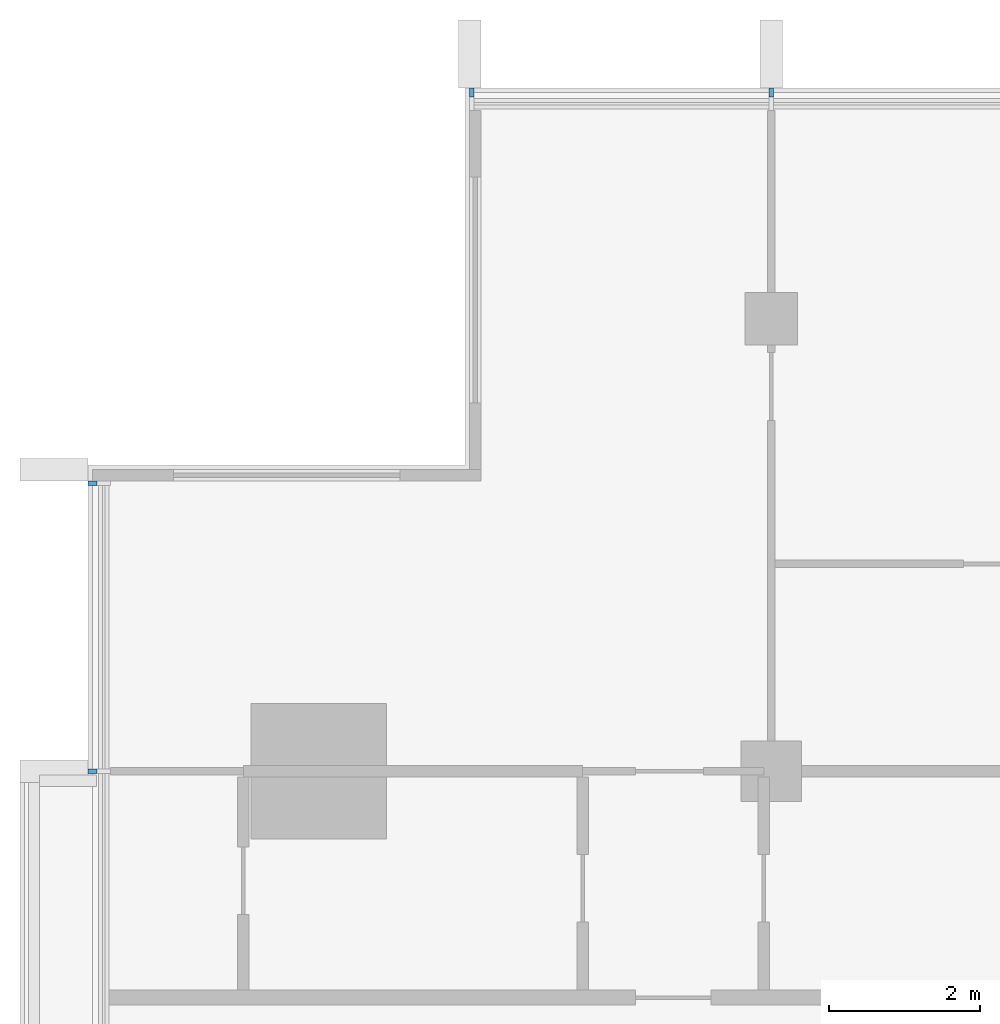
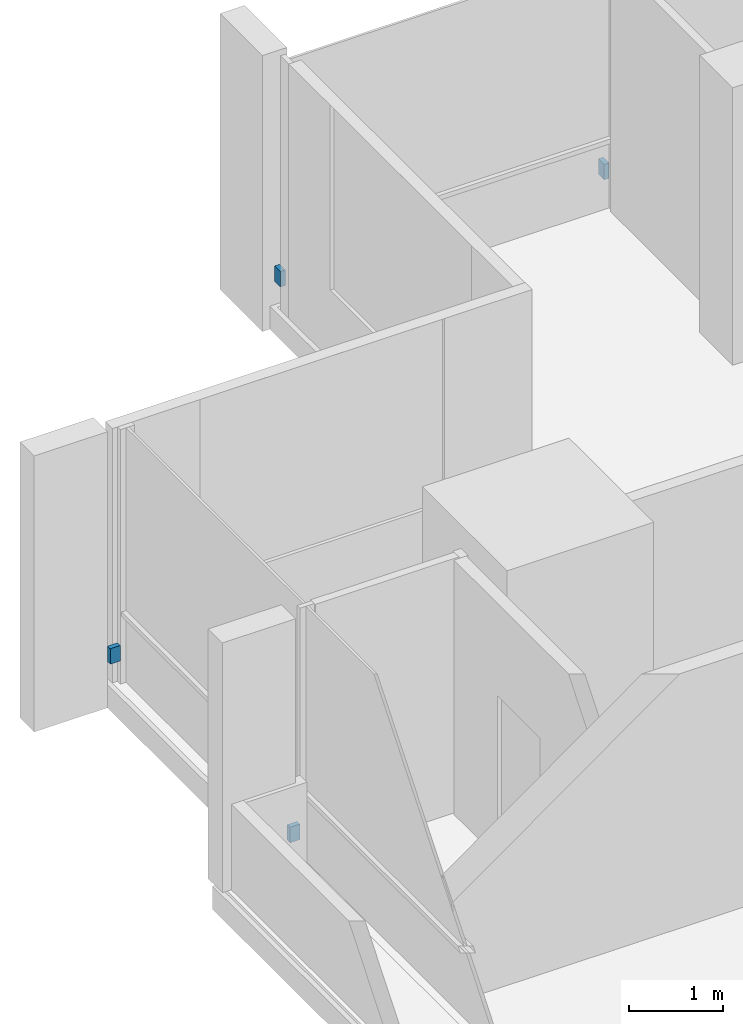
# One storey, part 14 of 16: 4 discrete accessories.
"""IFC4 building model written with IfcOpenShell, lengths in metres."""

import ifcopenshell
import ifcopenshell.guid

model = None  # the IFC model being written
_history = None  # IfcOwnerHistory: only IFC2X3 demands one
_inside = {}  # id of a spatial element -> (the spatial element, [elements in it])
_under = {}  # id of a project, library or spatial element -> (it, [spatial elements below it])
_declared = {}  # id of a project -> (the project, [libraries it declares])
_typed = {}  # id of a type object -> (the type object, [elements of that type])
_made_of = {}  # id of a material, layer set ... -> (it, [elements and type objects made of it])


def new_model(schema):
    """Start an empty IFC model of exactly this schema.

    Asked for "IFC4X3", IfcOpenShell would pick the latest addendum, in which some entities
    have other attributes; the version numbers below select the first issue.
    IFC2X3 requires an IfcOwnerHistory on every rooted entity: one is made here for all.
    """
    global model, _history
    if schema == "IFC4X3":
        model = ifcopenshell.file(schema_version=(4, 3, 0, 0))
    else:
        model = ifcopenshell.file(schema=schema)
    _inside.clear()
    _under.clear()
    _declared.clear()
    _typed.clear()
    _made_of.clear()
    _history = None
    if model.schema == "IFC2X3":
        org = make("IfcOrganization", Name="unknown")
        user = make(
            "IfcPersonAndOrganization",
            ThePerson=make("IfcPerson", FamilyName="unknown"),
            TheOrganization=org,
        )
        app = make(
            "IfcApplication",
            ApplicationDeveloper=org,
            Version="unknown",
            ApplicationFullName="unknown",
            ApplicationIdentifier="unknown",
        )
        _history = make(
            "IfcOwnerHistory",
            OwningUser=user,
            OwningApplication=app,
            ChangeAction="ADDED",
            CreationDate=0,
        )
    return model


def make(cls, **values):
    """One entity of the class cls with the attributes given. An attribute that is None is left unset."""
    return model.create_entity(
        cls, **{name: value for name, value in values.items() if value is not None}
    )


def rooted(cls, **values):
    """An entity with a GlobalId (a new one), such as an element, a storey or a relation."""
    return make(cls, GlobalId=ifcopenshell.guid.new(), OwnerHistory=_history, **values)


def si_unit(unit_type, name, prefix=None):
    """IfcSIUnit, for example si_unit("LENGTHUNIT", "METRE", prefix="MILLI")."""
    return make("IfcSIUnit", UnitType=unit_type, Prefix=prefix, Name=name)


def assignment(units):
    """IfcUnitAssignment: the units of a project."""
    return None if units is None else make("IfcUnitAssignment", Units=units)


def point(xyz):
    """IfcCartesianPoint."""
    return None if xyz is None else make("IfcCartesianPoint", Coordinates=xyz)


def direction(xyz):
    """IfcDirection."""
    return None if xyz is None else make("IfcDirection", DirectionRatios=xyz)


def frame(location, z_axis=None, x_axis=None):
    """IfcAxis2Placement3D, a coordinate frame: its origin and axes. An axis left out is left unset."""
    return make(
        "IfcAxis2Placement3D",
        Location=point(location),
        Axis=direction(z_axis),
        RefDirection=direction(x_axis),
    )


def frame_2d(location, x_axis=None):
    """IfcAxis2Placement2D, a coordinate frame in the plane: its origin and x axis."""
    return make(
        "IfcAxis2Placement2D", Location=point(location), RefDirection=direction(x_axis)
    )


def origin():
    """The frame at (0, 0, 0) with its axes left unset."""
    return frame((0.0, 0.0, 0.0))


def origin_2d():
    """The frame at (0, 0) in the plane with its x axis left unset."""
    return frame_2d((0.0, 0.0))


def place(relative_to, where):
    """IfcLocalPlacement: puts the frame where relative to a parent placement (None: the world)."""
    return make(
        "IfcLocalPlacement", PlacementRelTo=relative_to, RelativePlacement=where
    )


def context(
    kind, dimensions, precision=None, world=None, true_north=None, identifier=None
):
    """IfcGeometricRepresentationContext, for example the 3D "Model" context."""
    return make(
        "IfcGeometricRepresentationContext",
        ContextIdentifier=identifier,
        ContextType=kind,
        CoordinateSpaceDimension=dimensions,
        Precision=precision,
        WorldCoordinateSystem=world,
        TrueNorth=true_north,
    )


def subcontext(parent, identifier, kind, view, scale=None):
    """IfcGeometricRepresentationSubContext, for example "Body" below "Model"."""
    return make(
        "IfcGeometricRepresentationSubContext",
        ContextIdentifier=identifier,
        ContextType=kind,
        ParentContext=parent,
        TargetScale=scale,
        TargetView=view,
    )


def project(units=None, contexts=None):
    """IfcProject with its units and contexts."""
    return rooted(
        "IfcProject",
        Name="project",
        RepresentationContexts=contexts,
        UnitsInContext=assignment(units),
    )


def spatial(cls, under=None, at=None, **own):
    """A site, building, storey or space (cls), placed at a placement, below another one or the project."""
    s = rooted(cls, ObjectPlacement=at, **own)
    if under is not None:
        _under.setdefault(under.id(), (under, []))[1].append(s)
    return s


def profile(cls, at=None, kind="AREA", **sizes):
    """A parametric profile (cls). Its sizes go by their IFC names, for example OverallWidth=200.0."""
    return make(cls, ProfileType=kind, Position=at, **sizes)


def rectangle(**sizes):
    """IfcRectangleProfileDef."""
    return profile("IfcRectangleProfileDef", **sizes)


def extrude(swept, where, along, depth):
    """IfcExtrudedAreaSolid: the profile swept, set in the frame where, extruded along a direction by depth."""
    return make(
        "IfcExtrudedAreaSolid",
        SweptArea=swept,
        Position=where,
        ExtrudedDirection=direction(along),
        Depth=depth,
    )


def shape(context_of_items, identifier, shape_type, items):
    """IfcShapeRepresentation: the items that make up one representation, for example the "Body"."""
    return make(
        "IfcShapeRepresentation",
        ContextOfItems=context_of_items,
        RepresentationIdentifier=identifier,
        RepresentationType=shape_type,
        Items=items,
    )


def material(Name=None, Category=None):
    """IfcMaterial."""
    return make("IfcMaterial", Name=Name, Category=Category)


def made_of(thing, what):
    """Note that an element or type object is made of a material, layer set ...; save() writes the relation."""
    if what is not None:
        _made_of.setdefault(what.id(), (what, []))[1].append(thing)
    return thing


def type_object(cls, material=None, **own):
    """A type object (cls), such as IfcWallType, which elements share."""
    return made_of(rooted(cls, **own), material)


def element(
    cls,
    number,
    at=None,
    inside=None,
    cuts=None,
    type_object=None,
    material=None,
    context=None,
    identifier="Body",
    shape_type=None,
    held_by="IfcProductDefinitionShape",
    body=None,
    shapes=None,
    **own,
):
    """One element of the class cls, such as IfcWall. Its Tag is "e" and its number.

    at: its placement. inside: the storey or other place that contains it. cuts: it is an
    opening in that element (IfcRelVoidsElement). A single representation is given by context,
    identifier, shape_type and body (its items); several are given by shapes. held_by: the class
    of the entity that holds the representations. save() writes the other relations.
    """
    e = rooted(cls, Tag="e%d" % number, ObjectPlacement=at, **own)
    if body is not None:
        shapes = [shape(context, identifier, shape_type, body)]
    if shapes is not None:
        e.Representation = make(held_by, Representations=shapes)
    if inside is not None:
        _inside.setdefault(inside.id(), (inside, []))[1].append(e)
    if cuts is not None:
        rooted(
            "IfcRelVoidsElement", RelatingBuildingElement=cuts, RelatedOpeningElement=e
        )
    if type_object is not None:
        _typed.setdefault(type_object.id(), (type_object, []))[1].append(e)
    return made_of(e, material)


def aggregate(whole, parts):
    """IfcRelAggregates: a whole, such as a stair, and the parts it consists of."""
    return rooted("IfcRelAggregates", RelatingObject=whole, RelatedObjects=parts)


def save(model, path):
    """Write the relations noted so far, then the file.

    IfcRelAggregates (storeys below a building ...), IfcRelContainedInSpatialStructure (elements
    in a storey), IfcRelDefinesByType, IfcRelAssociatesMaterial and IfcRelDeclares: one each for
    every whole, place, type object, material and project.
    """
    for whole, parts in _under.values():
        aggregate(whole, parts)
    for where, things in _inside.values():
        rooted(
            "IfcRelContainedInSpatialStructure",
            RelatedElements=things,
            RelatingStructure=where,
        )
    for kind, things in _typed.values():
        rooted("IfcRelDefinesByType", RelatedObjects=things, RelatingType=kind)
    for what, things in _made_of.values():
        rooted("IfcRelAssociatesMaterial", RelatedObjects=things, RelatingMaterial=what)
    for by, libraries in _declared.values():
        rooted("IfcRelDeclares", RelatingContext=by, RelatedDefinitions=libraries)
    model.write(path)


model = new_model("IFC4")

# Units and contexts
model_context = context("Model", 3, precision=1e-05, world=origin(), true_north=direction((0.0, 1.0)))
body_context = subcontext(model_context, "Body", "Model", "MODEL_VIEW")
ifc_project = project(units=[si_unit("LENGTHUNIT", "METRE"), si_unit("AREAUNIT", "SQUARE_METRE"), si_unit("VOLUMEUNIT", "CUBIC_METRE"), si_unit("PLANEANGLEUNIT", "RADIAN"), si_unit("MASSUNIT", "GRAM", prefix="KILO")], contexts=[model_context])

# Site, building, storey
site_placement = place(None, origin())
site = spatial("IfcSite", under=ifc_project, at=site_placement, CompositionType="ELEMENT")
building_placement = place(site_placement, origin())
building = spatial("IfcBuilding", under=site, at=building_placement, Name="Finial Court Residences", CompositionType="ELEMENT")
storey_placement = place(building_placement, frame((0.0, 0.0, 284.300048828125)))
storey = spatial("IfcBuildingStorey", under=building, at=storey_placement, Name="L72", CompositionType="ELEMENT", Elevation=284.300048828125)

# Discrete accessories
ifc_material = material(Name="Stainless steel 316", Category="steel")
discrete_accessory_type = type_object("IfcDiscreteAccessoryType", Name="Fin bracket, stainless steel 60 x 122 x 200", PredefinedType="BRACKET", material=ifc_material)
for number, where, z_axis, x_axis, name in (
    (1, (-14.469970703125, 16.498779296875, 0.2998046875), (0.0, 0.0, 1.0), (1.0, 0.0, 0.0), "E-L72-FIN-N1-BRK"),
    (2, (-10.5, 16.498779296875, 0.2998046875), (0.0, 0.0, 1.0), (1.0, 0.0, 0.0), "E-L72-FIN-N2-BRK"),
):
    element("IfcDiscreteAccessory", number, at=place(storey_placement, frame(where, z_axis=z_axis, x_axis=x_axis)), inside=storey, type_object=discrete_accessory_type, Name=name, PredefinedType="BRACKET", context=body_context, shape_type="SweptSolid", body=[
        extrude(rectangle(XDim=0.06005859375, YDim=0.12255859375, at=origin_2d()), origin(), (0.0, 0.0, 1.0), 0.199951171875),
    ])
for number, where, z_axis, x_axis, name in (
    (3, (-19.498779296875, 7.5, 0.2998046875), (0.0, 0.0, 1.0), (1.0, 0.0, 0.0), "E-L72-FIN-W25-BRK"),
    (4, (-19.498779296875, 11.320068359375, 0.2998046875), (0.0, 0.0, 1.0), (1.0, 0.0, 0.0), "E-L72-FIN-W26-BRK"),
):
    element("IfcDiscreteAccessory", number, at=place(storey_placement, frame(where, z_axis=z_axis, x_axis=x_axis)), inside=storey, type_object=discrete_accessory_type, Name=name, PredefinedType="BRACKET", context=body_context, shape_type="SweptSolid", body=[
        extrude(rectangle(XDim=0.12255859375, YDim=0.06005859375, at=origin_2d()), origin(), (0.0, 0.0, 1.0), 0.199951171875),
    ])

save(model, "model.ifc")
